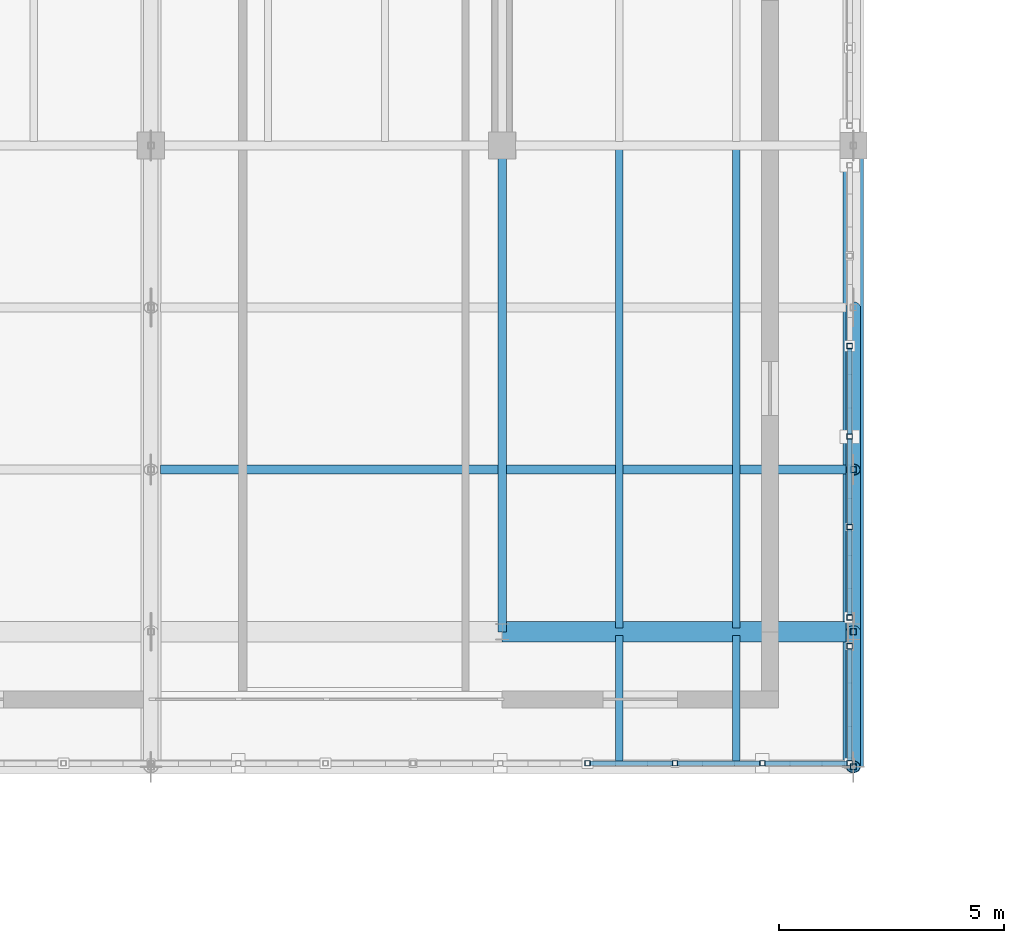
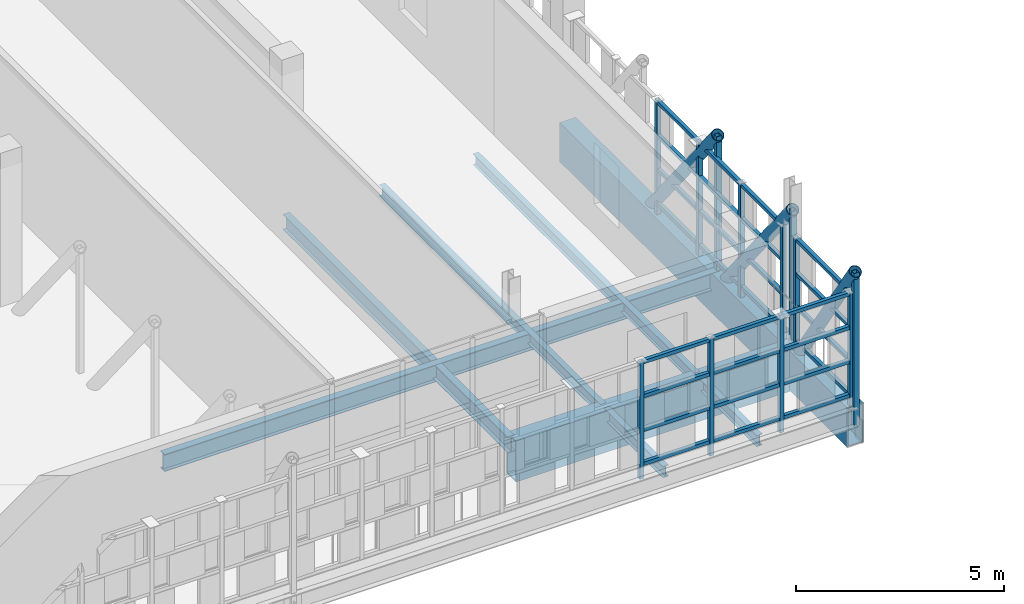
# One storey, part 38 of 119: 43 members, 8 beams.
"""IFC4 building model written with IfcOpenShell, lengths in metres."""

from ifc_helpers import new_model, si_unit, direction, frame, origin, origin_2d, place, context, subcontext, project, spatial, hollow_rectangle, hollow_circle, i_section, extrude, material, material_profile, profile_set, type_object, element, save


model = new_model("IFC4")

# Units and contexts
model_context = context("Model", 3, precision=1e-05, world=origin(), true_north=direction((0.0, 1.0)))
body_context = subcontext(model_context, "Body", "Model", "MODEL_VIEW")
ifc_project = project(units=[si_unit("LENGTHUNIT", "METRE"), si_unit("AREAUNIT", "SQUARE_METRE"), si_unit("VOLUMEUNIT", "CUBIC_METRE"), si_unit("PLANEANGLEUNIT", "RADIAN"), si_unit("MASSUNIT", "GRAM", prefix="KILO")], contexts=[model_context])

# Site, building, storey
site_placement = place(None, origin())
site = spatial("IfcSite", under=ifc_project, at=site_placement, CompositionType="ELEMENT")
building_placement = place(site_placement, origin())
building = spatial("IfcBuilding", under=site, at=building_placement, Name="Celorna Specialist Clinic", CompositionType="ELEMENT")
storey_placement = place(building_placement, frame((0.0, 0.0, 9.60009765625)))
storey = spatial("IfcBuildingStorey", under=building, at=storey_placement, Name="L02", CompositionType="ELEMENT", Elevation=9.60009765625)

# Beams
ifc_material = material(Name="Steel S355", Category="steel")
ifc_material_profile_1 = material_profile(ifc_material, hollow_rectangle(XDim=0.449951171875, YDim=1.14990234375, WallThickness=0.031982421875, at=origin_2d()), Name="BOX 450x1150x32")
ifc_profile_set_1 = profile_set([ifc_material_profile_1], Name="Steel S355")
beam_type_1 = type_object("IfcBeamType", Name="BM-01", PredefinedType="BEAM", material=ifc_profile_set_1)
beam_1_placement = place(storey_placement, frame((85.800048828125, 5.699951171875, -0.835205078125), z_axis=(0.0, 1.0, 0.0), x_axis=(-1.0, 0.0, 0.0)))
element("IfcBeam", 1, at=beam_1_placement, inside=storey, type_object=beam_type_1, Name="Cantilever Pratt truss chord WP-065-WP-066", PredefinedType="BEAM", context=body_context, shape_type="SweptSolid", body=[
    extrude(hollow_rectangle(XDim=0.449951171875, YDim=1.14990234375, WallThickness=0.031982421875, at=origin_2d()), origin(), (0.0, 0.0, 1.0), 13.800048828125),
])
ifc_material_profile_2 = material_profile(ifc_material, hollow_rectangle(XDim=0.449951171875, YDim=1.199951171875, WallThickness=0.031982421875, at=origin_2d()), Name="BOX 450x1200x32")
ifc_profile_set_2 = profile_set([ifc_material_profile_2], Name="Steel S355")
beam_type_2 = type_object("IfcBeamType", Name="BM-02", PredefinedType="BEAM", material=ifc_profile_set_2)
beam_2_placement = place(storey_placement, frame((78.0, 8.699951171875, -0.860107421875), z_axis=(1.0, 0.0, 0.0), x_axis=(0.0, 1.0, 0.0)))
element("IfcBeam", 2, at=beam_2_placement, inside=storey, type_object=beam_type_2, Name="Portico transfer box girder BM-02 #15", PredefinedType="BEAM", context=body_context, shape_type="SweptSolid", body=[
    extrude(hollow_rectangle(XDim=0.449951171875, YDim=1.199951171875, WallThickness=0.031982421875, at=origin_2d()), origin(), (0.0, 0.0, 1.0), 7.800048828125),
])
ifc_material_profile_3 = material_profile(ifc_material, i_section(OverallWidth=0.199951171875, OverallDepth=0.5, WebThickness=0.01025390625, FlangeThickness=0.01611328125, at=origin_2d()), Name="IPE 500")
ifc_profile_set_3 = profile_set([ifc_material_profile_3], Name="Steel S355")
beam_type_3 = type_object("IfcBeamType", Name="BM-08", PredefinedType="BEAM", material=ifc_profile_set_3)
beam_3_placement = place(storey_placement, frame((70.4150390625, 12.300048828125, -0.510009765625), z_axis=(1.0, 0.0, 0.0), x_axis=(0.0, 1.0, 0.0)))
element("IfcBeam", 3, at=beam_3_placement, inside=storey, type_object=beam_type_3, Name="Cantilever floor girder BM-08 #22", PredefinedType="BEAM", context=body_context, shape_type="SweptSolid", body=[
    extrude(i_section(OverallWidth=0.199951171875, OverallDepth=0.5, WebThickness=0.01025390625, FlangeThickness=0.01611328125, at=origin_2d()), origin(), (0.0, 0.0, 1.0), 15.385009765625),
])
ifc_material_profile_4 = material_profile(ifc_material, i_section(OverallWidth=0.18994140625, OverallDepth=0.449951171875, WebThickness=0.009521484375, FlangeThickness=0.0146484375, at=origin_2d()), Name="IPE 450")
ifc_profile_set_4 = profile_set([ifc_material_profile_4], Name="Steel S355")
beam_type_4 = type_object("IfcBeamType", Name="BM-09", PredefinedType="BEAM", material=ifc_profile_set_4)
beam_4_placement = place(storey_placement, frame((78.0, 8.699951171875, -0.485107421875), z_axis=(0.0, 1.0, 0.0), x_axis=(-1.0, 0.0, 0.0)))
element("IfcBeam", 4, at=beam_4_placement, inside=storey, type_object=beam_type_4, Name="Transverse girder BM-09 #2128", PredefinedType="BEAM", context=body_context, shape_type="SweptSolid", body=[
    extrude(i_section(OverallWidth=0.18994140625, OverallDepth=0.449951171875, WebThickness=0.009521484375, FlangeThickness=0.0146484375, at=origin_2d()), origin(), (0.0, 0.0, 1.0), 10.800048828125),
])
ifc_material_profile_5 = material_profile(ifc_material, i_section(OverallWidth=0.159912109375, OverallDepth=0.330078125, WebThickness=0.007568359375, FlangeThickness=0.011474609375, at=origin_2d()), Name="IPE 330")
ifc_profile_set_5 = profile_set([ifc_material_profile_5], Name="Steel S355")
beam_type_5 = type_object("IfcBeamType", Name="BM-12", PredefinedType="JOIST", material=ifc_profile_set_5)
for number, where, z_axis, x_axis, name in (
    (5, (80.60009765625, 5.7880859375, -0.425048828125), (0.0, 1.0, 0.0), (-1.0, 0.0, 0.0), "Secondary floor joist BM-12 #2150"),
    (6, (83.199951171875, 5.7880859375, -0.425048828125), (0.0, 1.0, 0.0), (-1.0, 0.0, 0.0), "Secondary floor joist BM-12 #2151"),
):
    element("IfcBeam", number, at=place(storey_placement, frame(where, z_axis=z_axis, x_axis=x_axis)), inside=storey, type_object=beam_type_5, Name=name, PredefinedType="JOIST", context=body_context, shape_type="SweptSolid", body=[
        extrude(i_section(OverallWidth=0.159912109375, OverallDepth=0.330078125, WebThickness=0.007568359375, FlangeThickness=0.011474609375, at=origin_2d()), origin(), (0.0, 0.0, 1.0), 2.823974609375),
    ])
for number, where, z_axis, x_axis, name in (
    (7, (80.60009765625, 8.7880859375, -0.425048828125), (0.0, 1.0, 0.0), (-1.0, 0.0, 0.0), "Secondary floor joist BM-12 #2152"),
    (8, (83.199951171875, 8.7880859375, -0.425048828125), (0.0, 1.0, 0.0), (-1.0, 0.0, 0.0), "Secondary floor joist BM-12 #2153"),
):
    element("IfcBeam", number, at=place(storey_placement, frame(where, z_axis=z_axis, x_axis=x_axis)), inside=storey, type_object=beam_type_5, Name=name, PredefinedType="JOIST", context=body_context, shape_type="SweptSolid", body=[
        extrude(i_section(OverallWidth=0.159912109375, OverallDepth=0.330078125, WebThickness=0.007568359375, FlangeThickness=0.011474609375, at=origin_2d()), origin(), (0.0, 0.0, 1.0), 10.6240234375),
    ])

# Members
ifc_material_profile_6 = material_profile(ifc_material, hollow_circle(Radius=0.161865234375, WallThickness=0.01611328125, at=origin_2d()), Name="CHS 323.9x16")
ifc_profile_set_6 = profile_set([ifc_material_profile_6], Name="Steel S355")
member_type_1 = type_object("IfcMemberType", Name="MB-05", PredefinedType="BRACE", material=ifc_profile_set_6)
member_1_placement = place(storey_placement, frame((85.800048828125, 5.699951171875, 3.664794921875), z_axis=(0.0, 0.554700196225, -0.832050294338), x_axis=(-1.0, 0.0, 0.0)))
element("IfcMember", 9, at=member_1_placement, inside=storey, type_object=member_type_1, Name="Cantilever Pratt truss web diagonal WP-070-WP-080", PredefinedType="BRACE", context=body_context, shape_type="SweptSolid", body=[
    extrude(hollow_circle(Radius=0.161865234375, WallThickness=0.01611328125, at=origin_2d()), origin(), (0.0, 0.0, 1.0), 5.408447265625),
])
member_2_placement = place(storey_placement, frame((85.800048828125, 8.699951171875, 3.664794921875), z_axis=(0.0, 0.624705380279, -0.780860543151), x_axis=(-1.0, 0.0, 0.0)))
element("IfcMember", 10, at=member_2_placement, inside=storey, type_object=member_type_1, Name="Cantilever Pratt truss web diagonal WP-081-WP-082", PredefinedType="BRACE", context=body_context, shape_type="SweptSolid", body=[
    extrude(hollow_circle(Radius=0.161865234375, WallThickness=0.01611328125, at=origin_2d()), origin(), (0.0, 0.0, 1.0), 5.762939453125),
])
member_3_placement = place(storey_placement, frame((85.800048828125, 12.300048828125, 3.664794921875), z_axis=(0.0, 0.624679547852, -0.780881208953), x_axis=(-1.0, 0.0, 0.0)))
element("IfcMember", 11, at=member_3_placement, inside=storey, type_object=member_type_1, Name="Cantilever Pratt truss web diagonal WP-083-WP-084", PredefinedType="BRACE", context=body_context, shape_type="SweptSolid", body=[
    extrude(hollow_circle(Radius=0.161865234375, WallThickness=0.01611328125, at=origin_2d()), origin(), (0.0, 0.0, 1.0), 5.7626953125),
])
ifc_material_profile_7 = material_profile(ifc_material, hollow_rectangle(XDim=0.139892578125, YDim=0.139892578125, WallThickness=0.008056640625, at=origin_2d()), Name="SHS 140x140x8")
ifc_profile_set_7 = profile_set([ifc_material_profile_7], Name="Steel S355")
member_type_2 = type_object("IfcMemberType", Name="MB-10", PredefinedType="CHORD", material=ifc_profile_set_7)
for number, where, z_axis, x_axis, name in (
    (12, (85.800048828125, 5.699951171875, -0.835205078125), (0.0, 0.0, 1.0), (1.0, 0.0, 0.0), "Cantilever Pratt truss vertical post WP-065-WP-070"),
    (13, (85.800048828125, 8.699951171875, -0.835205078125), (0.0, 0.0, 1.0), (1.0, 0.0, 0.0), "Cantilever Pratt truss vertical post WP-080-WP-081"),
    (14, (85.800048828125, 12.300048828125, -0.835205078125), (0.0, 0.0, 1.0), (1.0, 0.0, 0.0), "Cantilever Pratt truss vertical post WP-082-WP-083"),
):
    element("IfcMember", number, at=place(storey_placement, frame(where, z_axis=z_axis, x_axis=x_axis)), inside=storey, type_object=member_type_2, Name=name, PredefinedType="CHORD", context=body_context, shape_type="SweptSolid", body=[
        extrude(hollow_rectangle(XDim=0.139892578125, YDim=0.139892578125, WallThickness=0.008056640625, at=origin_2d()), origin(), (0.0, 0.0, 1.0), 4.5),
    ])
ifc_material_profile_8 = material_profile(ifc_material, hollow_rectangle(XDim=0.1201171875, YDim=0.1201171875, WallThickness=0.008056640625, at=origin_2d()), Name="SHS 120x120x8")
ifc_profile_set_8 = profile_set([ifc_material_profile_8], Name="Steel S355")
member_type_3 = type_object("IfcMemberType", Name="MB-11", PredefinedType="STUD", material=ifc_profile_set_8)
for number, where, z_axis, x_axis, name in (
    (15, (79.89990234375, 5.780029296875, -0.360107421875), (0.0, 0.0, 1.0), (1.0, 0.0, 0.0), "Perforated screen steel post #14"),
    (16, (81.840087890625, 5.780029296875, -0.360107421875), (0.0, 0.0, 1.0), (1.0, 0.0, 0.0), "Perforated screen steel post #15"),
    (17, (83.780029296875, 5.780029296875, -0.360107421875), (0.0, 0.0, 1.0), (1.0, 0.0, 0.0), "Perforated screen steel post #16"),
    (18, (85.719970703125, 5.780029296875, -0.360107421875), (0.0, 0.0, 1.0), (1.0, 0.0, 0.0), "Perforated screen steel post #17"),
    (19, (85.719970703125, 8.3798828125, -0.360107421875), (0.0, 0.0, 1.0), (1.0, 0.0, 0.0), "Perforated screen steel post #351"),
    (20, (85.719970703125, 9.02001953125, -0.360107421875), (0.0, 0.0, 1.0), (1.0, 0.0, 0.0), "Perforated screen steel post #356"),
    (21, (85.719970703125, 11.028076171875, -0.360107421875), (0.0, 0.0, 1.0), (1.0, 0.0, 0.0), "Perforated screen steel post #357"),
    (22, (85.719970703125, 13.035888671875, -0.360107421875), (0.0, 0.0, 1.0), (1.0, 0.0, 0.0), "Perforated screen steel post #358"),
    (23, (85.719970703125, 15.0439453125, -0.360107421875), (0.0, 0.0, 1.0), (1.0, 0.0, 0.0), "Perforated screen steel post #359"),
):
    element("IfcMember", number, at=place(storey_placement, frame(where, z_axis=z_axis, x_axis=x_axis)), inside=storey, type_object=member_type_3, Name=name, PredefinedType="STUD", context=body_context, shape_type="SweptSolid", body=[
        extrude(hollow_rectangle(XDim=0.1201171875, YDim=0.1201171875, WallThickness=0.008056640625, at=origin_2d()), origin(), (0.0, 0.0, 1.0), 3.43994140625),
    ])
ifc_material_profile_9 = material_profile(ifc_material, hollow_rectangle(XDim=0.10009765625, YDim=0.10009765625, WallThickness=0.006103515625, at=origin_2d()), Name="SHS 100x100x6")
ifc_profile_set_9 = profile_set([ifc_material_profile_9], Name="Steel S355")
member_type_4 = type_object("IfcMemberType", Name="MB-12", PredefinedType="STUD", material=ifc_profile_set_9)
for number, where, z_axis, x_axis, name in (
    (24, (79.9599609375, 5.780029296875, 0.0498046875), (1.0, 0.0, 0.0), (0.0, 1.0, 0.0), "Perforated screen rail #70"),
    (25, (79.9599609375, 5.780029296875, 1.043212890625), (1.0, 0.0, 0.0), (0.0, 1.0, 0.0), "Perforated screen rail #71"),
    (26, (79.9599609375, 5.780029296875, 2.03662109375), (1.0, 0.0, 0.0), (0.0, 1.0, 0.0), "Perforated screen rail #72"),
    (27, (79.9599609375, 5.780029296875, 3.02978515625), (1.0, 0.0, 0.0), (0.0, 1.0, 0.0), "Perforated screen rail #73"),
    (28, (81.89990234375, 5.780029296875, 0.0498046875), (1.0, 0.0, 0.0), (0.0, 1.0, 0.0), "Perforated screen rail #74"),
    (29, (81.89990234375, 5.780029296875, 1.043212890625), (1.0, 0.0, 0.0), (0.0, 1.0, 0.0), "Perforated screen rail #75"),
    (30, (81.89990234375, 5.780029296875, 2.03662109375), (1.0, 0.0, 0.0), (0.0, 1.0, 0.0), "Perforated screen rail #76"),
    (31, (81.89990234375, 5.780029296875, 3.02978515625), (1.0, 0.0, 0.0), (0.0, 1.0, 0.0), "Perforated screen rail #77"),
):
    element("IfcMember", number, at=place(storey_placement, frame(where, z_axis=z_axis, x_axis=x_axis)), inside=storey, type_object=member_type_4, Name=name, PredefinedType="STUD", context=body_context, shape_type="SweptSolid", body=[
        extrude(hollow_rectangle(XDim=0.10009765625, YDim=0.10009765625, WallThickness=0.006103515625, at=origin_2d()), origin(), (0.0, 0.0, 1.0), 1.820068359375),
    ])
for number, where, z_axis, x_axis, name in (
    (32, (83.840087890625, 5.780029296875, 0.0498046875), (1.0, 0.0, 0.0), (0.0, 1.0, 0.0), "Perforated screen rail #78"),
    (33, (83.840087890625, 5.780029296875, 1.043212890625), (1.0, 0.0, 0.0), (0.0, 1.0, 0.0), "Perforated screen rail #79"),
    (34, (83.840087890625, 5.780029296875, 2.03662109375), (1.0, 0.0, 0.0), (0.0, 1.0, 0.0), "Perforated screen rail #80"),
    (35, (83.840087890625, 5.780029296875, 3.02978515625), (1.0, 0.0, 0.0), (0.0, 1.0, 0.0), "Perforated screen rail #81"),
):
    element("IfcMember", number, at=place(storey_placement, frame(where, z_axis=z_axis, x_axis=x_axis)), inside=storey, type_object=member_type_4, Name=name, PredefinedType="STUD", context=body_context, shape_type="SweptSolid", body=[
        extrude(hollow_rectangle(XDim=0.10009765625, YDim=0.10009765625, WallThickness=0.006103515625, at=origin_2d()), origin(), (0.0, 0.0, 1.0), 1.81982421875),
    ])
for number, where, z_axis, x_axis, name in (
    (36, (85.719970703125, 5.840087890625, 0.0498046875), (0.0, 1.0, 0.0), (-1.0, 0.0, 0.0), "Perforated screen rail #352"),
    (37, (85.719970703125, 5.840087890625, 1.043212890625), (0.0, 1.0, 0.0), (-1.0, 0.0, 0.0), "Perforated screen rail #353"),
    (38, (85.719970703125, 5.840087890625, 2.03662109375), (0.0, 1.0, 0.0), (-1.0, 0.0, 0.0), "Perforated screen rail #354"),
    (39, (85.719970703125, 5.840087890625, 3.02978515625), (0.0, 1.0, 0.0), (-1.0, 0.0, 0.0), "Perforated screen rail #355"),
):
    element("IfcMember", number, at=place(storey_placement, frame(where, z_axis=z_axis, x_axis=x_axis)), inside=storey, type_object=member_type_4, Name=name, PredefinedType="STUD", context=body_context, shape_type="SweptSolid", body=[
        extrude(hollow_rectangle(XDim=0.10009765625, YDim=0.10009765625, WallThickness=0.006103515625, at=origin_2d()), origin(), (0.0, 0.0, 1.0), 2.47998046875),
    ])
for number, where, z_axis, x_axis, name in (
    (40, (85.719970703125, 9.080078125, 0.0498046875), (0.0, 1.0, 0.0), (-1.0, 0.0, 0.0), "Perforated screen rail #362"),
    (41, (85.719970703125, 9.080078125, 1.043212890625), (0.0, 1.0, 0.0), (-1.0, 0.0, 0.0), "Perforated screen rail #363"),
    (42, (85.719970703125, 9.080078125, 2.03662109375), (0.0, 1.0, 0.0), (-1.0, 0.0, 0.0), "Perforated screen rail #364"),
    (43, (85.719970703125, 9.080078125, 3.02978515625), (0.0, 1.0, 0.0), (-1.0, 0.0, 0.0), "Perforated screen rail #365"),
):
    element("IfcMember", number, at=place(storey_placement, frame(where, z_axis=z_axis, x_axis=x_axis)), inside=storey, type_object=member_type_4, Name=name, PredefinedType="STUD", context=body_context, shape_type="SweptSolid", body=[
        extrude(hollow_rectangle(XDim=0.10009765625, YDim=0.10009765625, WallThickness=0.006103515625, at=origin_2d()), origin(), (0.0, 0.0, 1.0), 1.887939453125),
    ])
for number, where, z_axis, x_axis, name in (
    (44, (85.719970703125, 11.087890625, 0.0498046875), (0.0, 1.0, 0.0), (-1.0, 0.0, 0.0), "Perforated screen rail #366"),
    (45, (85.719970703125, 11.087890625, 1.043212890625), (0.0, 1.0, 0.0), (-1.0, 0.0, 0.0), "Perforated screen rail #367"),
    (46, (85.719970703125, 11.087890625, 2.03662109375), (0.0, 1.0, 0.0), (-1.0, 0.0, 0.0), "Perforated screen rail #368"),
    (47, (85.719970703125, 11.087890625, 3.02978515625), (0.0, 1.0, 0.0), (-1.0, 0.0, 0.0), "Perforated screen rail #369"),
):
    element("IfcMember", number, at=place(storey_placement, frame(where, z_axis=z_axis, x_axis=x_axis)), inside=storey, type_object=member_type_4, Name=name, PredefinedType="STUD", context=body_context, shape_type="SweptSolid", body=[
        extrude(hollow_rectangle(XDim=0.10009765625, YDim=0.10009765625, WallThickness=0.006103515625, at=origin_2d()), origin(), (0.0, 0.0, 1.0), 1.88818359375),
    ])
for number, where, z_axis, x_axis, name in (
    (48, (85.719970703125, 13.095947265625, 0.0498046875), (0.0, 1.0, 0.0), (-1.0, 0.0, 0.0), "Perforated screen rail #370"),
    (49, (85.719970703125, 13.095947265625, 1.043212890625), (0.0, 1.0, 0.0), (-1.0, 0.0, 0.0), "Perforated screen rail #371"),
    (50, (85.719970703125, 13.095947265625, 2.03662109375), (0.0, 1.0, 0.0), (-1.0, 0.0, 0.0), "Perforated screen rail #372"),
    (51, (85.719970703125, 13.095947265625, 3.02978515625), (0.0, 1.0, 0.0), (-1.0, 0.0, 0.0), "Perforated screen rail #373"),
):
    element("IfcMember", number, at=place(storey_placement, frame(where, z_axis=z_axis, x_axis=x_axis)), inside=storey, type_object=member_type_4, Name=name, PredefinedType="STUD", context=body_context, shape_type="SweptSolid", body=[
        extrude(hollow_rectangle(XDim=0.10009765625, YDim=0.10009765625, WallThickness=0.006103515625, at=origin_2d()), origin(), (0.0, 0.0, 1.0), 1.887939453125),
    ])

save(model, "model.ifc")
